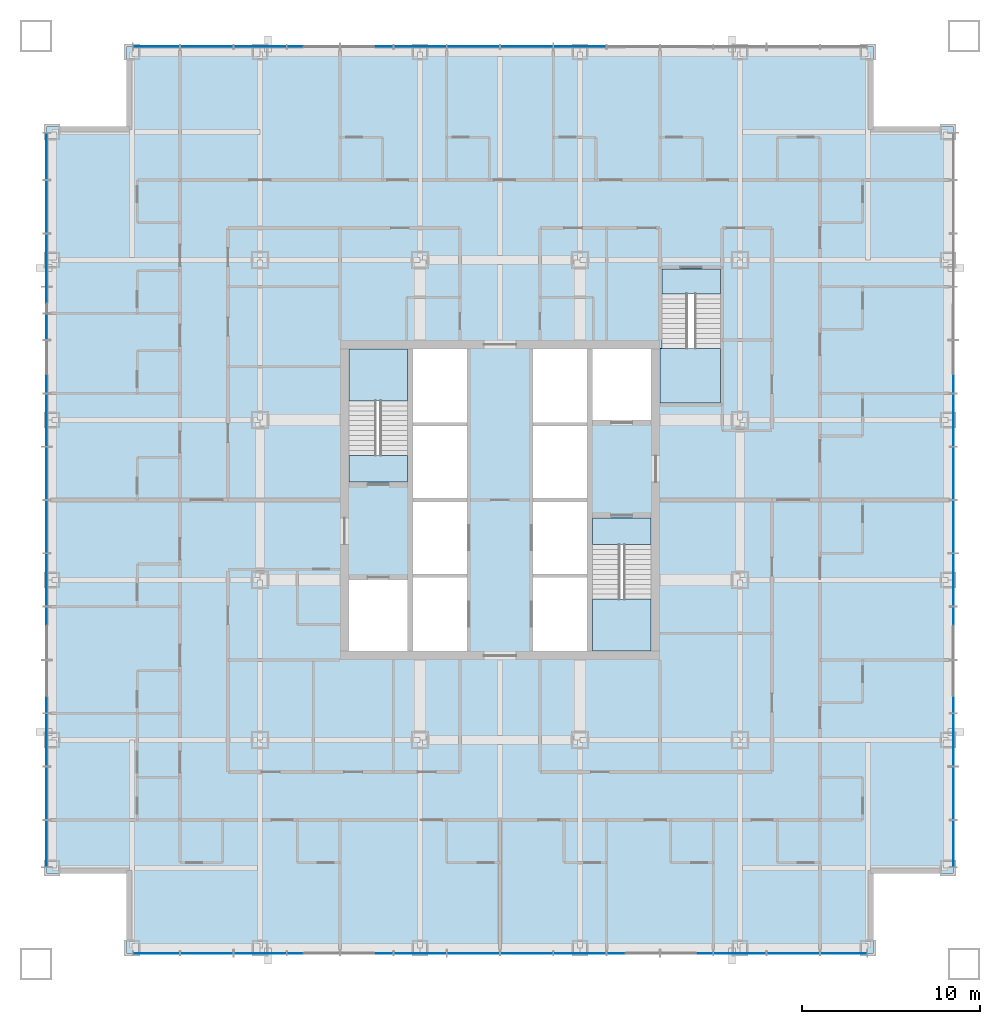
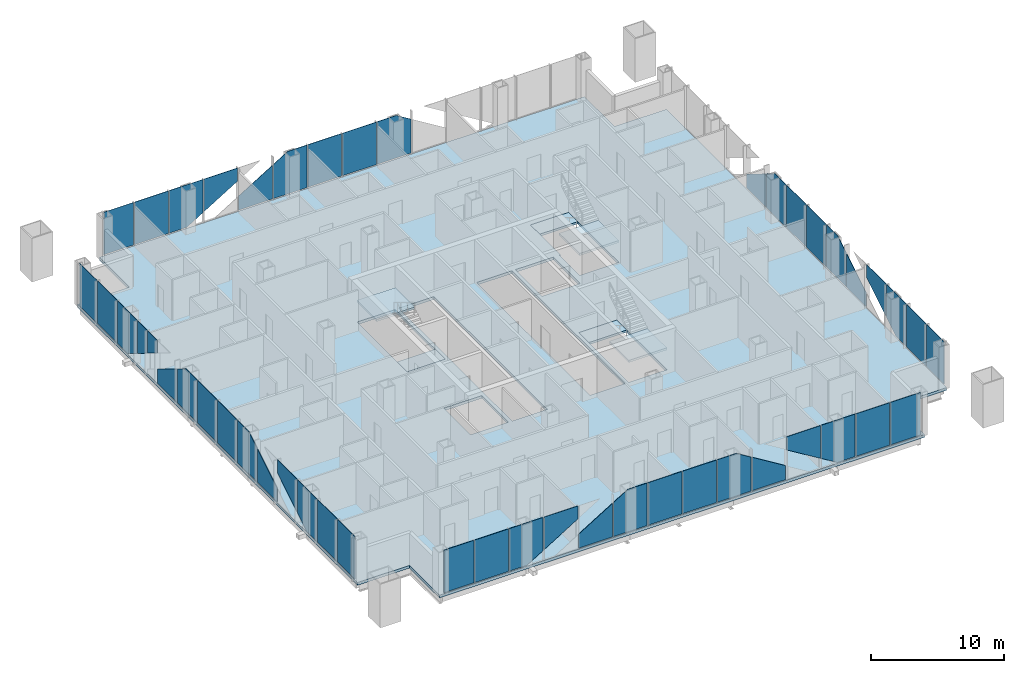
# One storey, part 6 of 14: 48 plates, 7 slabs, 7 elements without a shape of their own.
"""IFC4 building model written with IfcOpenShell, lengths in metres."""

from ifc_helpers import new_model, si_unit, direction, frame, origin, origin_2d, place, context, subcontext, project, spatial, polyline, rectangle, outline, extrude, material, layer, layer_set, type_object, element, aggregate, save


model = new_model("IFC4")

# Units and contexts
model_context = context("Model", 3, precision=1e-05, world=origin(), true_north=direction((0.0, 1.0)))
body_context = subcontext(model_context, "Body", "Model", "MODEL_VIEW")
ifc_project = project(units=[si_unit("LENGTHUNIT", "METRE"), si_unit("AREAUNIT", "SQUARE_METRE"), si_unit("VOLUMEUNIT", "CUBIC_METRE"), si_unit("PLANEANGLEUNIT", "RADIAN"), si_unit("MASSUNIT", "GRAM", prefix="KILO")], contexts=[model_context])

# Site, building, storey
site_placement = place(None, origin())
site = spatial("IfcSite", under=ifc_project, at=site_placement, CompositionType="ELEMENT")
building_placement = place(site_placement, origin())
building = spatial("IfcBuilding", under=site, at=building_placement, Name="Malebo Sky Hospital", CompositionType="ELEMENT")
storey_placement = place(building_placement, frame((0.0, 0.0, 71.0)))
storey = spatial("IfcBuildingStorey", under=building, at=storey_placement, Name="L16", CompositionType="ELEMENT", Elevation=71.0)

# Slab
ifc_material_1 = material(Name="Concrete C40/50", Category="concrete")
ifc_layer_1 = layer(ifc_material_1, 0.25)
ifc_layer_set_1 = layer_set([ifc_layer_1], Name="COMPOSITE FLOOR SLAB 250")
slab_type_1 = type_object("IfcSlabType", Name="COMPOSITE FLOOR SLAB 250", PredefinedType="FLOOR", material=ifc_layer_set_1)
slab_1_placement = place(storey_placement, frame((0.0, 0.0, -0.25)))
element("IfcSlab", 1, at=slab_1_placement, inside=storey, type_object=slab_type_1, Name="Floor slab L16", PredefinedType="FLOOR", context=body_context, shape_type="SweptSolid", body=[
    extrude(outline(polyline([(39.0, 87.5), (39.0, 83.0), (34.5, 83.0), (34.5, 41.0), (39.0, 41.0), (39.0, 36.5), (81.0, 36.5), (81.0, 41.0), (85.5, 41.0), (85.5, 83.0), (81.0, 83.0), (81.0, 87.5), (39.0, 87.5)]), holes=[polyline([(55.10009765625, 70.5), (58.14990234375, 70.5), (58.14990234375, 53.5), (55.10009765625, 53.5), (55.10009765625, 70.5)]), polyline([(64.89990234375, 70.5), (64.89990234375, 53.5), (61.85009765625, 53.5), (61.85009765625, 70.5), (64.89990234375, 70.5)]), polyline([(54.800048828125, 63.0), (51.5, 63.0), (51.5, 70.5), (54.800048828125, 70.5), (54.800048828125, 63.0)]), polyline([(51.5, 53.5), (51.5, 57.5), (54.800048828125, 57.5), (54.800048828125, 53.5), (51.5, 53.5)]), polyline([(65.199951171875, 61.0), (68.5, 61.0), (68.5, 53.5), (65.199951171875, 53.5), (65.199951171875, 61.0)]), polyline([(68.5, 70.5), (68.5, 66.5), (65.199951171875, 66.5), (65.199951171875, 70.5), (68.5, 70.5)]), polyline([(69.0, 67.449951171875), (69.0, 70.52001953125), (69.10009765625, 70.52001953125), (69.10009765625, 75.0), (72.39990234375, 75.0), (72.39990234375, 67.449951171875), (69.10009765625, 67.449951171875), (69.0, 67.449951171875)])]), origin(), (0.0, 0.0, 1.0), 0.25),
])

# Stair, slabs
stair_type_1 = type_object("IfcStairType", Name="HALF-TURN STAIR 1500 R167", PredefinedType="HALF_TURN_STAIR", material=ifc_material_1)
stair_1_placement = place(storey_placement, origin())
stair_1 = element("IfcStair", 2, at=stair_1_placement, inside=storey, type_object=stair_type_1, Name="Stair S1 L16 type ST1", PredefinedType="HALF_TURN_STAIR")
ifc_layer_2 = layer(ifc_material_1, 0.199951171875)
ifc_layer_set_2 = layer_set([ifc_layer_2], Name="STAIR LANDING 200")
slab_type_2 = type_object("IfcSlabType", Name="STAIR LANDING 200", PredefinedType="LANDING", material=ifc_layer_set_2)
slab_2_placement = place(storey_placement, frame((0.0, 0.0, -0.199951171875)))
slab_2 = element("IfcSlab", 3, at=slab_2_placement, type_object=slab_type_2, Name="S1 landing 1", PredefinedType="LANDING", context=body_context, shape_type="SweptSolid", body=[
    extrude(outline(polyline([(51.5, 63.0), (54.800048828125, 63.0), (54.800048828125, 64.5), (51.5, 64.5), (51.5, 63.0)])), origin(), (0.0, 0.0, 1.0), 0.199951171875),
])
slab_3_placement = place(storey_placement, frame((0.0, 0.0, 1.800048828125)))
slab_3 = element("IfcSlab", 4, at=slab_3_placement, type_object=slab_type_2, Name="S1 landing 2", PredefinedType="LANDING", context=body_context, shape_type="SweptSolid", body=[
    extrude(outline(polyline([(51.5, 67.580078125), (54.800048828125, 67.580078125), (54.800048828125, 70.5), (51.5, 70.5), (51.5, 67.580078125)])), origin(), (0.0, 0.0, 1.0), 0.199951171875),
])
aggregate(stair_1, [slab_2, slab_3])

stair_2_placement = place(storey_placement, origin())
stair_2 = element("IfcStair", 5, at=stair_2_placement, inside=storey, type_object=stair_type_1, Name="Stair S2 L16 type ST1", PredefinedType="HALF_TURN_STAIR")
slab_4_placement = place(storey_placement, frame((0.0, 0.0, -0.199951171875)))
slab_4 = element("IfcSlab", 6, at=slab_4_placement, type_object=slab_type_2, Name="S2 landing 1", PredefinedType="LANDING", context=body_context, shape_type="SweptSolid", body=[
    extrude(outline(polyline([(65.199951171875, 59.5), (68.5, 59.5), (68.5, 61.0), (65.199951171875, 61.0), (65.199951171875, 59.5)])), origin(), (0.0, 0.0, 1.0), 0.199951171875),
])
slab_5_placement = place(storey_placement, frame((0.0, 0.0, 1.800048828125)))
slab_5 = element("IfcSlab", 7, at=slab_5_placement, type_object=slab_type_2, Name="S2 landing 2", PredefinedType="LANDING", context=body_context, shape_type="SweptSolid", body=[
    extrude(outline(polyline([(65.199951171875, 53.5), (68.5, 53.5), (68.5, 56.419921875), (65.199951171875, 56.419921875), (65.199951171875, 53.5)])), origin(), (0.0, 0.0, 1.0), 0.199951171875),
])
aggregate(stair_2, [slab_4, slab_5])

stair_type_2 = type_object("IfcStairType", Name="HALF-TURN STAIR 1400 R167", PredefinedType="HALF_TURN_STAIR", material=ifc_material_1)
stair_3_placement = place(storey_placement, origin())
stair_3 = element("IfcStair", 8, at=stair_3_placement, inside=storey, type_object=stair_type_2, Name="Stair S3 L16 type ST1B", PredefinedType="HALF_TURN_STAIR")
slab_6_placement = place(storey_placement, frame((0.0, 0.0, -0.199951171875)))
slab_6 = element("IfcSlab", 9, at=slab_6_placement, type_object=slab_type_2, Name="S3 landing 1", PredefinedType="LANDING", context=body_context, shape_type="SweptSolid", body=[
    extrude(outline(polyline([(69.10009765625, 73.60009765625), (72.39990234375, 73.60009765625), (72.39990234375, 75.0), (69.10009765625, 75.0), (69.10009765625, 73.60009765625)])), origin(), (0.0, 0.0, 1.0), 0.199951171875),
])
slab_7_placement = place(storey_placement, frame((0.0, 0.0, 1.800048828125)))
slab_7 = element("IfcSlab", 10, at=slab_7_placement, type_object=slab_type_2, Name="S3 landing 2", PredefinedType="LANDING", context=body_context, shape_type="SweptSolid", body=[
    extrude(outline(polyline([(69.0, 67.449951171875), (72.39990234375, 67.449951171875), (72.39990234375, 70.52001953125), (69.0, 70.52001953125), (69.0, 67.449951171875)])), origin(), (0.0, 0.0, 1.0), 0.199951171875),
])
aggregate(stair_3, [slab_6, slab_7])

# Curtain wall, plates
ifc_material_2 = material(Name="Anodised aluminium, natural silver", Category="aluminium")
ifc_layer_3 = layer(ifc_material_2, 0.25)
ifc_layer_set_3 = layer_set([ifc_layer_3], Name="WARD CURTAIN WALL NORTH AND SOUTH")
curtain_wall_type_1 = type_object("IfcCurtainWallType", Name="WARD CURTAIN WALL NORTH AND SOUTH", PredefinedType="NOTDEFINED", material=ifc_layer_set_3)
curtain_wall_1_placement = place(storey_placement, origin())
curtain_wall_1 = element("IfcCurtainWall", 11, at=curtain_wall_1_placement, inside=storey, type_object=curtain_wall_type_1, Name="NS curtain wall N", PredefinedType="NOTDEFINED")
ifc_material_3 = material(Name="Clear low-iron double glazing", Category="glass")
ifc_layer_4 = layer(ifc_material_3, 0.031982421875)
ifc_layer_set_4 = layer_set([ifc_layer_4], Name="VISION PANEL CLEAR 32")
plate_type = type_object("IfcPlateType", Name="VISION PANEL CLEAR 32", PredefinedType="CURTAIN_PANEL", material=ifc_layer_set_4)
plate_1_placement = place(storey_placement, frame((40.668701171875, 87.5, 0.10009765625), z_axis=(0.0, 0.0, 1.0), x_axis=(1.0, 0.0, 0.0)))
plate_1 = element("IfcPlate", 12, at=plate_1_placement, type_object=plate_type, Name="Panel 1", PredefinedType="CURTAIN_PANEL", context=body_context, shape_type="SweptSolid", body=[
    extrude(rectangle(XDim=2.58740234375, YDim=0.031982421875, at=origin_2d()), origin(), (0.0, 0.0, 1.0), 3.889892578125),
])
plate_2_placement = place(storey_placement, frame((43.5, 87.5, 0.10009765625), z_axis=(0.0, 0.0, 1.0), x_axis=(1.0, 0.0, 0.0)))
plate_2 = element("IfcPlate", 13, at=plate_2_placement, type_object=plate_type, Name="Panel 2", PredefinedType="CURTAIN_PANEL", context=body_context, shape_type="SweptSolid", body=[
    extrude(rectangle(XDim=2.925048828125, YDim=0.031982421875, at=origin_2d()), origin(), (0.0, 0.0, 1.0), 3.889892578125),
])
plate_3_placement = place(storey_placement, frame((46.5, 87.5, 0.10009765625), z_axis=(0.0, 0.0, 1.0), x_axis=(1.0, 0.0, 0.0)))
plate_3 = element("IfcPlate", 14, at=plate_3_placement, type_object=plate_type, Name="Panel 3", PredefinedType="CURTAIN_PANEL", context=body_context, shape_type="SweptSolid", body=[
    extrude(outline(polyline([(-1.46240234375, 0.0), (0.068603515625, 0.0), (1.46240234375, 0.8544921875), (1.46240234375, 3.889892578125), (-1.46240234375, 3.889892578125), (-1.46240234375, 0.0)])), frame((0.0, 0.01611328125, 0.0), z_axis=(0.0, -1.0, 0.0), x_axis=(1.0, 0.0, 0.0)), (0.0, 0.0, 1.0), 0.031982421875),
])
plate_4_placement = place(storey_placement, frame((49.5, 87.5, 1.00048828125), z_axis=(0.0, 0.0, 1.0), x_axis=(1.0, 0.0, 0.0)))
plate_4 = element("IfcPlate", 15, at=plate_4_placement, type_object=plate_type, Name="Panel 4", PredefinedType="CURTAIN_PANEL", context=body_context, shape_type="SweptSolid", body=[
    extrude(outline(polyline([(-1.46240234375, 0.0), (1.46240234375, 1.793212890625), (1.46240234375, 2.989501953125), (-1.46240234375, 2.989501953125), (-1.46240234375, 0.0)])), frame((0.0, 0.01611328125, 0.0), z_axis=(0.0, -1.0, 0.0), x_axis=(1.0, 0.0, 0.0)), (0.0, 0.0, 1.0), 0.031982421875),
])
plate_5_placement = place(storey_placement, frame((52.5, 87.5, 0.10009765625), z_axis=(0.0, 0.0, 1.0), x_axis=(1.0, 0.0, 0.0)))
plate_5 = element("IfcPlate", 16, at=plate_5_placement, type_object=plate_type, Name="Panel 5", PredefinedType="CURTAIN_PANEL", context=body_context, shape_type="SweptSolid", body=[
    extrude(outline(polyline([(-1.46240234375, 0.0), (1.46240234375, 0.0), (1.46240234375, 3.065185546875), (-1.46240234375, 1.272216796875), (-1.46240234375, 0.0)])), frame((0.0, 0.01611328125, 0.0), z_axis=(0.0, -1.0, 0.0), x_axis=(1.0, 0.0, 0.0)), (0.0, 0.0, 1.0), 0.031982421875),
])
plate_6_placement = place(storey_placement, frame((55.5, 87.5, 0.10009765625), z_axis=(0.0, 0.0, 1.0), x_axis=(1.0, 0.0, 0.0)))
plate_6 = element("IfcPlate", 17, at=plate_6_placement, type_object=plate_type, Name="Panel 6", PredefinedType="CURTAIN_PANEL", context=body_context, shape_type="SweptSolid", body=[
    extrude(outline(polyline([(-1.46240234375, 0.0), (1.46240234375, 0.0), (1.46240234375, 3.889892578125), (-0.192138671875, 3.889892578125), (-1.46240234375, 3.111328125), (-1.46240234375, 0.0)])), frame((0.0, 0.01611328125, 0.0), z_axis=(0.0, -1.0, 0.0), x_axis=(1.0, 0.0, 0.0)), (0.0, 0.0, 1.0), 0.031982421875),
])
plate_7_placement = place(storey_placement, frame((58.5, 87.5, 0.10009765625), z_axis=(0.0, 0.0, 1.0), x_axis=(1.0, 0.0, 0.0)))
plate_7 = element("IfcPlate", 18, at=plate_7_placement, type_object=plate_type, Name="Panel 7", PredefinedType="CURTAIN_PANEL", context=body_context, shape_type="SweptSolid", body=[
    extrude(rectangle(XDim=2.925048828125, YDim=0.031982421875, at=origin_2d()), origin(), (0.0, 0.0, 1.0), 3.889892578125),
])
plate_8_placement = place(storey_placement, frame((61.5, 87.5, 0.10009765625), z_axis=(0.0, 0.0, 1.0), x_axis=(1.0, 0.0, 0.0)))
plate_8 = element("IfcPlate", 19, at=plate_8_placement, type_object=plate_type, Name="Panel 8", PredefinedType="CURTAIN_PANEL", context=body_context, shape_type="SweptSolid", body=[
    extrude(rectangle(XDim=2.925048828125, YDim=0.031982421875, at=origin_2d()), origin(), (0.0, 0.0, 1.0), 3.889892578125),
])
plate_9_placement = place(storey_placement, frame((64.5, 87.5, 0.10009765625), z_axis=(0.0, 0.0, 1.0), x_axis=(1.0, 0.0, 0.0)))
plate_9 = element("IfcPlate", 20, at=plate_9_placement, type_object=plate_type, Name="Panel 9", PredefinedType="CURTAIN_PANEL", context=body_context, shape_type="SweptSolid", body=[
    extrude(outline(polyline([(-1.46240234375, 0.0), (1.46240234375, 0.0), (1.46240234375, 3.111328125), (0.192138671875, 3.889892578125), (-1.46240234375, 3.889892578125), (-1.46240234375, 0.0)])), frame((0.0, 0.01611328125, 0.0), z_axis=(0.0, -1.0, 0.0), x_axis=(1.0, 0.0, 0.0)), (0.0, 0.0, 1.0), 0.031982421875),
])
aggregate(curtain_wall_1, [plate_1, plate_2, plate_3, plate_4, plate_5, plate_6, plate_7, plate_8, plate_9])

ifc_layer_5 = layer(ifc_material_2, 0.25)
ifc_layer_set_5 = layer_set([ifc_layer_5], Name="WARD CURTAIN WALL EAST AND WEST")
curtain_wall_type_2 = type_object("IfcCurtainWallType", Name="WARD CURTAIN WALL EAST AND WEST", PredefinedType="NOTDEFINED", material=ifc_layer_set_5)
curtain_wall_2_placement = place(storey_placement, origin())
curtain_wall_2 = element("IfcCurtainWall", 21, at=curtain_wall_2_placement, inside=storey, type_object=curtain_wall_type_2, Name="EW curtain wall W", PredefinedType="NOTDEFINED")
plate_10_placement = place(storey_placement, frame((34.5, 42.668701171875, 0.10009765625), z_axis=(0.0, 0.0, 1.0), x_axis=(0.0, 1.0, 0.0)))
plate_10 = element("IfcPlate", 22, at=plate_10_placement, type_object=plate_type, Name="Panel 1", PredefinedType="CURTAIN_PANEL", context=body_context, shape_type="SweptSolid", body=[
    extrude(rectangle(XDim=2.58740234375, YDim=0.031982421875, at=origin_2d()), origin(), (0.0, 0.0, 1.0), 3.889892578125),
])
plate_11_placement = place(storey_placement, frame((34.5, 45.5, 0.10009765625), z_axis=(0.0, 0.0, 1.0), x_axis=(0.0, 1.0, 0.0)))
plate_11 = element("IfcPlate", 23, at=plate_11_placement, type_object=plate_type, Name="Panel 2", PredefinedType="CURTAIN_PANEL", context=body_context, shape_type="SweptSolid", body=[
    extrude(rectangle(XDim=2.925048828125, YDim=0.031982421875, at=origin_2d()), origin(), (0.0, 0.0, 1.0), 3.889892578125),
])
plate_12_placement = place(storey_placement, frame((34.5, 48.5, 0.10009765625), z_axis=(0.0, 0.0, 1.0), x_axis=(0.0, 1.0, 0.0)))
plate_12 = element("IfcPlate", 24, at=plate_12_placement, type_object=plate_type, Name="Panel 3", PredefinedType="CURTAIN_PANEL", context=body_context, shape_type="SweptSolid", body=[
    extrude(outline(polyline([(-1.46240234375, 0.0), (0.068603515625, 0.0), (1.46240234375, 0.8544921875), (1.46240234375, 3.889892578125), (-1.46240234375, 3.889892578125), (-1.46240234375, 0.0)])), frame((0.0, 0.01611328125, 0.0), z_axis=(0.0, -1.0, 0.0), x_axis=(1.0, 0.0, 0.0)), (0.0, 0.0, 1.0), 0.031982421875),
])
plate_13_placement = place(storey_placement, frame((34.5, 51.5, 1.00048828125), z_axis=(0.0, 0.0, 1.0), x_axis=(0.0, 1.0, 0.0)))
plate_13 = element("IfcPlate", 25, at=plate_13_placement, type_object=plate_type, Name="Panel 4", PredefinedType="CURTAIN_PANEL", context=body_context, shape_type="SweptSolid", body=[
    extrude(outline(polyline([(-1.46240234375, 0.0), (1.46240234375, 1.793212890625), (1.46240234375, 2.989501953125), (-1.46240234375, 2.989501953125), (-1.46240234375, 0.0)])), frame((0.0, 0.01611328125, 0.0), z_axis=(0.0, -1.0, 0.0), x_axis=(1.0, 0.0, 0.0)), (0.0, 0.0, 1.0), 0.031982421875),
])
plate_14_placement = place(storey_placement, frame((34.5, 54.5, 0.10009765625), z_axis=(0.0, 0.0, 1.0), x_axis=(0.0, 1.0, 0.0)))
plate_14 = element("IfcPlate", 26, at=plate_14_placement, type_object=plate_type, Name="Panel 5", PredefinedType="CURTAIN_PANEL", context=body_context, shape_type="SweptSolid", body=[
    extrude(outline(polyline([(-1.46240234375, 0.0), (1.46240234375, 0.0), (1.46240234375, 3.065185546875), (-1.46240234375, 1.272216796875), (-1.46240234375, 0.0)])), frame((0.0, 0.01611328125, 0.0), z_axis=(0.0, -1.0, 0.0), x_axis=(1.0, 0.0, 0.0)), (0.0, 0.0, 1.0), 0.031982421875),
])
plate_15_placement = place(storey_placement, frame((34.5, 57.5, 0.10009765625), z_axis=(0.0, 0.0, 1.0), x_axis=(0.0, 1.0, 0.0)))
plate_15 = element("IfcPlate", 27, at=plate_15_placement, type_object=plate_type, Name="Panel 6", PredefinedType="CURTAIN_PANEL", context=body_context, shape_type="SweptSolid", body=[
    extrude(outline(polyline([(-1.46240234375, 0.0), (1.46240234375, 0.0), (1.46240234375, 3.889892578125), (-0.192138671875, 3.889892578125), (-1.46240234375, 3.111328125), (-1.46240234375, 0.0)])), frame((0.0, 0.01611328125, 0.0), z_axis=(0.0, -1.0, 0.0), x_axis=(1.0, 0.0, 0.0)), (0.0, 0.0, 1.0), 0.031982421875),
])
plate_16_placement = place(storey_placement, frame((34.5, 60.5, 0.10009765625), z_axis=(0.0, 0.0, 1.0), x_axis=(0.0, 1.0, 0.0)))
plate_16 = element("IfcPlate", 28, at=plate_16_placement, type_object=plate_type, Name="Panel 7", PredefinedType="CURTAIN_PANEL", context=body_context, shape_type="SweptSolid", body=[
    extrude(rectangle(XDim=2.925048828125, YDim=0.031982421875, at=origin_2d()), origin(), (0.0, 0.0, 1.0), 3.889892578125),
])
plate_17_placement = place(storey_placement, frame((34.5, 63.5, 0.10009765625), z_axis=(0.0, 0.0, 1.0), x_axis=(0.0, 1.0, 0.0)))
plate_17 = element("IfcPlate", 29, at=plate_17_placement, type_object=plate_type, Name="Panel 8", PredefinedType="CURTAIN_PANEL", context=body_context, shape_type="SweptSolid", body=[
    extrude(rectangle(XDim=2.925048828125, YDim=0.031982421875, at=origin_2d()), origin(), (0.0, 0.0, 1.0), 3.889892578125),
])
plate_18_placement = place(storey_placement, frame((34.5, 66.5, 0.10009765625), z_axis=(0.0, 0.0, 1.0), x_axis=(0.0, 1.0, 0.0)))
plate_18 = element("IfcPlate", 30, at=plate_18_placement, type_object=plate_type, Name="Panel 9", PredefinedType="CURTAIN_PANEL", context=body_context, shape_type="SweptSolid", body=[
    extrude(outline(polyline([(-1.46240234375, 0.0), (1.46240234375, 0.0), (1.46240234375, 3.111328125), (0.192138671875, 3.889892578125), (-1.46240234375, 3.889892578125), (-1.46240234375, 0.0)])), frame((0.0, 0.01611328125, 0.0), z_axis=(0.0, -1.0, 0.0), x_axis=(1.0, 0.0, 0.0)), (0.0, 0.0, 1.0), 0.031982421875),
])
plate_19_placement = place(storey_placement, frame((34.5, 69.5, 0.10009765625), z_axis=(0.0, 0.0, 1.0), x_axis=(0.0, 1.0, 0.0)))
plate_19 = element("IfcPlate", 31, at=plate_19_placement, type_object=plate_type, Name="Panel 10", PredefinedType="CURTAIN_PANEL", context=body_context, shape_type="SweptSolid", body=[
    extrude(outline(polyline([(-1.46240234375, 0.0), (1.46240234375, 0.0), (1.46240234375, 1.272216796875), (-1.46240234375, 3.065185546875), (-1.46240234375, 0.0)])), frame((0.0, 0.01611328125, 0.0), z_axis=(0.0, -1.0, 0.0), x_axis=(1.0, 0.0, 0.0)), (0.0, 0.0, 1.0), 0.031982421875),
])
plate_20_placement = place(storey_placement, frame((34.5, 71.75, 1.919921875), z_axis=(0.0, 0.0, 1.0), x_axis=(0.0, 1.0, 0.0)))
plate_20 = element("IfcPlate", 32, at=plate_20_placement, type_object=plate_type, Name="Panel 11", PredefinedType="CURTAIN_PANEL", context=body_context, shape_type="SweptSolid", body=[
    extrude(outline(polyline([(0.71240234375, 0.0), (0.71240234375, 2.070068359375), (-0.71240234375, 2.070068359375), (-0.71240234375, 0.87353515625), (0.71240234375, 0.0)])), frame((0.0, 0.01611328125, 0.0), z_axis=(0.0, -1.0, 0.0), x_axis=(1.0, 0.0, 0.0)), (0.0, 0.0, 1.0), 0.031982421875),
])
plate_21_placement = place(storey_placement, frame((34.5, 73.25, 1.00048828125), z_axis=(0.0, 0.0, 1.0), x_axis=(0.0, 1.0, 0.0)))
plate_21 = element("IfcPlate", 33, at=plate_21_placement, type_object=plate_type, Name="Panel 12", PredefinedType="CURTAIN_PANEL", context=body_context, shape_type="SweptSolid", body=[
    extrude(outline(polyline([(0.71240234375, 0.0), (0.71240234375, 2.989501953125), (-0.71240234375, 2.989501953125), (-0.71240234375, 0.87353515625), (0.71240234375, 0.0)])), frame((0.0, 0.01611328125, 0.0), z_axis=(0.0, -1.0, 0.0), x_axis=(1.0, 0.0, 0.0)), (0.0, 0.0, 1.0), 0.031982421875),
])
plate_22_placement = place(storey_placement, frame((34.5, 75.5, 0.10009765625), z_axis=(0.0, 0.0, 1.0), x_axis=(0.0, 1.0, 0.0)))
plate_22 = element("IfcPlate", 34, at=plate_22_placement, type_object=plate_type, Name="Panel 13", PredefinedType="CURTAIN_PANEL", context=body_context, shape_type="SweptSolid", body=[
    extrude(outline(polyline([(-0.068603515625, 0.0), (1.46240234375, 0.0), (1.46240234375, 3.889892578125), (-1.46240234375, 3.889892578125), (-1.46240234375, 0.8544921875), (-0.068603515625, 0.0)])), frame((0.0, 0.01611328125, 0.0), z_axis=(0.0, -1.0, 0.0), x_axis=(1.0, 0.0, 0.0)), (0.0, 0.0, 1.0), 0.031982421875),
])
plate_23_placement = place(storey_placement, frame((34.5, 78.5, 0.10009765625), z_axis=(0.0, 0.0, 1.0), x_axis=(0.0, 1.0, 0.0)))
plate_23 = element("IfcPlate", 35, at=plate_23_placement, type_object=plate_type, Name="Panel 14", PredefinedType="CURTAIN_PANEL", context=body_context, shape_type="SweptSolid", body=[
    extrude(rectangle(XDim=2.925048828125, YDim=0.031982421875, at=origin_2d()), origin(), (0.0, 0.0, 1.0), 3.889892578125),
])
plate_24_placement = place(storey_placement, frame((34.5, 81.331298828125, 0.10009765625), z_axis=(0.0, 0.0, 1.0), x_axis=(0.0, 1.0, 0.0)))
plate_24 = element("IfcPlate", 36, at=plate_24_placement, type_object=plate_type, Name="Panel 15", PredefinedType="CURTAIN_PANEL", context=body_context, shape_type="SweptSolid", body=[
    extrude(rectangle(XDim=2.58740234375, YDim=0.031982421875, at=origin_2d()), origin(), (0.0, 0.0, 1.0), 3.889892578125),
])
aggregate(curtain_wall_2, [plate_10, plate_11, plate_12, plate_13, plate_14, plate_15, plate_16, plate_17, plate_18, plate_19, plate_20, plate_21, plate_22, plate_23, plate_24])

curtain_wall_3_placement = place(storey_placement, origin())
curtain_wall_3 = element("IfcCurtainWall", 37, at=curtain_wall_3_placement, inside=storey, type_object=curtain_wall_type_1, Name="NS curtain wall S", PredefinedType="NOTDEFINED")
plate_25_placement = place(storey_placement, frame((79.331298828125, 36.5, 0.10009765625), z_axis=(0.0, 0.0, 1.0), x_axis=(-1.0, 0.0, 0.0)))
plate_25 = element("IfcPlate", 38, at=plate_25_placement, type_object=plate_type, Name="Panel 1", PredefinedType="CURTAIN_PANEL", context=body_context, shape_type="SweptSolid", body=[
    extrude(rectangle(XDim=2.58740234375, YDim=0.031982421875, at=origin_2d()), origin(), (0.0, 0.0, 1.0), 3.889892578125),
])
plate_26_placement = place(storey_placement, frame((76.5, 36.5, 0.10009765625), z_axis=(0.0, 0.0, 1.0), x_axis=(-1.0, 0.0, 0.0)))
plate_26 = element("IfcPlate", 39, at=plate_26_placement, type_object=plate_type, Name="Panel 2", PredefinedType="CURTAIN_PANEL", context=body_context, shape_type="SweptSolid", body=[
    extrude(rectangle(XDim=2.925048828125, YDim=0.031982421875, at=origin_2d()), origin(), (0.0, 0.0, 1.0), 3.889892578125),
])
plate_27_placement = place(storey_placement, frame((73.5, 36.5, 0.10009765625), z_axis=(0.0, 0.0, 1.0), x_axis=(-1.0, 0.0, 0.0)))
plate_27 = element("IfcPlate", 40, at=plate_27_placement, type_object=plate_type, Name="Panel 3", PredefinedType="CURTAIN_PANEL", context=body_context, shape_type="SweptSolid", body=[
    extrude(outline(polyline([(-1.46240234375, 0.0), (0.068603515625, 0.0), (1.46240234375, 0.8544921875), (1.46240234375, 3.889892578125), (-1.46240234375, 3.889892578125), (-1.46240234375, 0.0)])), frame((0.0, 0.01611328125, 0.0), z_axis=(0.0, -1.0, 0.0), x_axis=(1.0, 0.0, 0.0)), (0.0, 0.0, 1.0), 0.031982421875),
])
plate_28_placement = place(storey_placement, frame((70.5, 36.5, 1.00048828125), z_axis=(0.0, 0.0, 1.0), x_axis=(-1.0, 0.0, 0.0)))
plate_28 = element("IfcPlate", 41, at=plate_28_placement, type_object=plate_type, Name="Panel 4", PredefinedType="CURTAIN_PANEL", context=body_context, shape_type="SweptSolid", body=[
    extrude(outline(polyline([(-1.46240234375, 0.0), (1.46240234375, 1.793212890625), (1.46240234375, 2.989501953125), (-1.46240234375, 2.989501953125), (-1.46240234375, 0.0)])), frame((0.0, 0.01611328125, 0.0), z_axis=(0.0, -1.0, 0.0), x_axis=(1.0, 0.0, 0.0)), (0.0, 0.0, 1.0), 0.031982421875),
])
plate_29_placement = place(storey_placement, frame((67.5, 36.5, 0.10009765625), z_axis=(0.0, 0.0, 1.0), x_axis=(-1.0, 0.0, 0.0)))
plate_29 = element("IfcPlate", 42, at=plate_29_placement, type_object=plate_type, Name="Panel 5", PredefinedType="CURTAIN_PANEL", context=body_context, shape_type="SweptSolid", body=[
    extrude(outline(polyline([(-1.46240234375, 0.0), (1.46240234375, 0.0), (1.46240234375, 3.065185546875), (-1.46240234375, 1.272216796875), (-1.46240234375, 0.0)])), frame((0.0, 0.01611328125, 0.0), z_axis=(0.0, -1.0, 0.0), x_axis=(1.0, 0.0, 0.0)), (0.0, 0.0, 1.0), 0.031982421875),
])
plate_30_placement = place(storey_placement, frame((64.5, 36.5, 0.10009765625), z_axis=(0.0, 0.0, 1.0), x_axis=(-1.0, 0.0, 0.0)))
plate_30 = element("IfcPlate", 43, at=plate_30_placement, type_object=plate_type, Name="Panel 6", PredefinedType="CURTAIN_PANEL", context=body_context, shape_type="SweptSolid", body=[
    extrude(outline(polyline([(-1.46240234375, 0.0), (1.46240234375, 0.0), (1.46240234375, 3.889892578125), (-0.192138671875, 3.889892578125), (-1.46240234375, 3.111328125), (-1.46240234375, 0.0)])), frame((0.0, 0.01611328125, 0.0), z_axis=(0.0, -1.0, 0.0), x_axis=(1.0, 0.0, 0.0)), (0.0, 0.0, 1.0), 0.031982421875),
])
plate_31_placement = place(storey_placement, frame((61.5, 36.5, 0.10009765625), z_axis=(0.0, 0.0, 1.0), x_axis=(-1.0, 0.0, 0.0)))
plate_31 = element("IfcPlate", 44, at=plate_31_placement, type_object=plate_type, Name="Panel 7", PredefinedType="CURTAIN_PANEL", context=body_context, shape_type="SweptSolid", body=[
    extrude(rectangle(XDim=2.925048828125, YDim=0.031982421875, at=origin_2d()), origin(), (0.0, 0.0, 1.0), 3.889892578125),
])
plate_32_placement = place(storey_placement, frame((58.5, 36.5, 0.10009765625), z_axis=(0.0, 0.0, 1.0), x_axis=(-1.0, 0.0, 0.0)))
plate_32 = element("IfcPlate", 45, at=plate_32_placement, type_object=plate_type, Name="Panel 8", PredefinedType="CURTAIN_PANEL", context=body_context, shape_type="SweptSolid", body=[
    extrude(rectangle(XDim=2.925048828125, YDim=0.031982421875, at=origin_2d()), origin(), (0.0, 0.0, 1.0), 3.889892578125),
])
plate_33_placement = place(storey_placement, frame((55.5, 36.5, 0.10009765625), z_axis=(0.0, 0.0, 1.0), x_axis=(-1.0, 0.0, 0.0)))
plate_33 = element("IfcPlate", 46, at=plate_33_placement, type_object=plate_type, Name="Panel 9", PredefinedType="CURTAIN_PANEL", context=body_context, shape_type="SweptSolid", body=[
    extrude(outline(polyline([(-1.46240234375, 0.0), (1.46240234375, 0.0), (1.46240234375, 3.111328125), (0.192138671875, 3.889892578125), (-1.46240234375, 3.889892578125), (-1.46240234375, 0.0)])), frame((0.0, 0.01611328125, 0.0), z_axis=(0.0, -1.0, 0.0), x_axis=(1.0, 0.0, 0.0)), (0.0, 0.0, 1.0), 0.031982421875),
])
plate_34_placement = place(storey_placement, frame((52.5, 36.5, 0.10009765625), z_axis=(0.0, 0.0, 1.0), x_axis=(-1.0, 0.0, 0.0)))
plate_34 = element("IfcPlate", 47, at=plate_34_placement, type_object=plate_type, Name="Panel 10", PredefinedType="CURTAIN_PANEL", context=body_context, shape_type="SweptSolid", body=[
    extrude(outline(polyline([(-1.46240234375, 0.0), (1.46240234375, 0.0), (1.46240234375, 1.272216796875), (-1.46240234375, 3.065185546875), (-1.46240234375, 0.0)])), frame((0.0, 0.01611328125, 0.0), z_axis=(0.0, -1.0, 0.0), x_axis=(1.0, 0.0, 0.0)), (0.0, 0.0, 1.0), 0.031982421875),
])
plate_35_placement = place(storey_placement, frame((49.5, 36.5, 1.00048828125), z_axis=(0.0, 0.0, 1.0), x_axis=(-1.0, 0.0, 0.0)))
plate_35 = element("IfcPlate", 48, at=plate_35_placement, type_object=plate_type, Name="Panel 11", PredefinedType="CURTAIN_PANEL", context=body_context, shape_type="SweptSolid", body=[
    extrude(outline(polyline([(1.46240234375, 0.0), (1.46240234375, 2.989501953125), (-1.46240234375, 2.989501953125), (-1.46240234375, 1.793212890625), (1.46240234375, 0.0)])), frame((0.0, 0.01611328125, 0.0), z_axis=(0.0, -1.0, 0.0), x_axis=(1.0, 0.0, 0.0)), (0.0, 0.0, 1.0), 0.031982421875),
])
plate_36_placement = place(storey_placement, frame((46.5, 36.5, 0.10009765625), z_axis=(0.0, 0.0, 1.0), x_axis=(-1.0, 0.0, 0.0)))
plate_36 = element("IfcPlate", 49, at=plate_36_placement, type_object=plate_type, Name="Panel 12", PredefinedType="CURTAIN_PANEL", context=body_context, shape_type="SweptSolid", body=[
    extrude(outline(polyline([(-0.068603515625, 0.0), (1.46240234375, 0.0), (1.46240234375, 3.889892578125), (-1.46240234375, 3.889892578125), (-1.46240234375, 0.8544921875), (-0.068603515625, 0.0)])), frame((0.0, 0.01611328125, 0.0), z_axis=(0.0, -1.0, 0.0), x_axis=(1.0, 0.0, 0.0)), (0.0, 0.0, 1.0), 0.031982421875),
])
plate_37_placement = place(storey_placement, frame((43.5, 36.5, 0.10009765625), z_axis=(0.0, 0.0, 1.0), x_axis=(-1.0, 0.0, 0.0)))
plate_37 = element("IfcPlate", 50, at=plate_37_placement, type_object=plate_type, Name="Panel 13", PredefinedType="CURTAIN_PANEL", context=body_context, shape_type="SweptSolid", body=[
    extrude(rectangle(XDim=2.925048828125, YDim=0.031982421875, at=origin_2d()), origin(), (0.0, 0.0, 1.0), 3.889892578125),
])
plate_38_placement = place(storey_placement, frame((40.668701171875, 36.5, 0.10009765625), z_axis=(0.0, 0.0, 1.0), x_axis=(-1.0, 0.0, 0.0)))
plate_38 = element("IfcPlate", 51, at=plate_38_placement, type_object=plate_type, Name="Panel 14", PredefinedType="CURTAIN_PANEL", context=body_context, shape_type="SweptSolid", body=[
    extrude(rectangle(XDim=2.58740234375, YDim=0.031982421875, at=origin_2d()), origin(), (0.0, 0.0, 1.0), 3.889892578125),
])
aggregate(curtain_wall_3, [plate_25, plate_26, plate_27, plate_28, plate_29, plate_30, plate_31, plate_32, plate_33, plate_34, plate_35, plate_36, plate_37, plate_38])

curtain_wall_4_placement = place(storey_placement, origin())
curtain_wall_4 = element("IfcCurtainWall", 52, at=curtain_wall_4_placement, inside=storey, type_object=curtain_wall_type_2, Name="EW curtain wall E", PredefinedType="NOTDEFINED")
plate_39_placement = place(storey_placement, frame((85.5, 69.5, 0.10009765625), z_axis=(0.0, 0.0, 1.0), x_axis=(0.0, -1.0, 0.0)))
plate_39 = element("IfcPlate", 53, at=plate_39_placement, type_object=plate_type, Name="Panel 5", PredefinedType="CURTAIN_PANEL", context=body_context, shape_type="SweptSolid", body=[
    extrude(outline(polyline([(-1.46240234375, 0.0), (1.46240234375, 0.0), (1.46240234375, 3.065185546875), (-1.46240234375, 1.272216796875), (-1.46240234375, 0.0)])), frame((0.0, 0.01611328125, 0.0), z_axis=(0.0, -1.0, 0.0), x_axis=(1.0, 0.0, 0.0)), (0.0, 0.0, 1.0), 0.031982421875),
])
plate_40_placement = place(storey_placement, frame((85.5, 66.5, 0.10009765625), z_axis=(0.0, 0.0, 1.0), x_axis=(0.0, -1.0, 0.0)))
plate_40 = element("IfcPlate", 54, at=plate_40_placement, type_object=plate_type, Name="Panel 6", PredefinedType="CURTAIN_PANEL", context=body_context, shape_type="SweptSolid", body=[
    extrude(outline(polyline([(-1.46240234375, 0.0), (1.46240234375, 0.0), (1.46240234375, 3.889892578125), (-0.192138671875, 3.889892578125), (-1.46240234375, 3.111328125), (-1.46240234375, 0.0)])), frame((0.0, 0.01611328125, 0.0), z_axis=(0.0, -1.0, 0.0), x_axis=(1.0, 0.0, 0.0)), (0.0, 0.0, 1.0), 0.031982421875),
])
plate_41_placement = place(storey_placement, frame((85.5, 63.5, 0.10009765625), z_axis=(0.0, 0.0, 1.0), x_axis=(0.0, -1.0, 0.0)))
plate_41 = element("IfcPlate", 55, at=plate_41_placement, type_object=plate_type, Name="Panel 7", PredefinedType="CURTAIN_PANEL", context=body_context, shape_type="SweptSolid", body=[
    extrude(rectangle(XDim=2.925048828125, YDim=0.031982421875, at=origin_2d()), origin(), (0.0, 0.0, 1.0), 3.889892578125),
])
plate_42_placement = place(storey_placement, frame((85.5, 60.5, 0.10009765625), z_axis=(0.0, 0.0, 1.0), x_axis=(0.0, -1.0, 0.0)))
plate_42 = element("IfcPlate", 56, at=plate_42_placement, type_object=plate_type, Name="Panel 8", PredefinedType="CURTAIN_PANEL", context=body_context, shape_type="SweptSolid", body=[
    extrude(rectangle(XDim=2.925048828125, YDim=0.031982421875, at=origin_2d()), origin(), (0.0, 0.0, 1.0), 3.889892578125),
])
plate_43_placement = place(storey_placement, frame((85.5, 57.5, 0.10009765625), z_axis=(0.0, 0.0, 1.0), x_axis=(0.0, -1.0, 0.0)))
plate_43 = element("IfcPlate", 57, at=plate_43_placement, type_object=plate_type, Name="Panel 9", PredefinedType="CURTAIN_PANEL", context=body_context, shape_type="SweptSolid", body=[
    extrude(outline(polyline([(-1.46240234375, 0.0), (1.46240234375, 0.0), (1.46240234375, 3.111328125), (0.192138671875, 3.889892578125), (-1.46240234375, 3.889892578125), (-1.46240234375, 0.0)])), frame((0.0, 0.01611328125, 0.0), z_axis=(0.0, -1.0, 0.0), x_axis=(1.0, 0.0, 0.0)), (0.0, 0.0, 1.0), 0.031982421875),
])
plate_44_placement = place(storey_placement, frame((85.5, 54.5, 0.10009765625), z_axis=(0.0, 0.0, 1.0), x_axis=(0.0, -1.0, 0.0)))
plate_44 = element("IfcPlate", 58, at=plate_44_placement, type_object=plate_type, Name="Panel 10", PredefinedType="CURTAIN_PANEL", context=body_context, shape_type="SweptSolid", body=[
    extrude(outline(polyline([(-1.46240234375, 0.0), (1.46240234375, 0.0), (1.46240234375, 1.272216796875), (-1.46240234375, 3.065185546875), (-1.46240234375, 0.0)])), frame((0.0, 0.01611328125, 0.0), z_axis=(0.0, -1.0, 0.0), x_axis=(1.0, 0.0, 0.0)), (0.0, 0.0, 1.0), 0.031982421875),
])
plate_45_placement = place(storey_placement, frame((85.5, 51.5, 1.00048828125), z_axis=(0.0, 0.0, 1.0), x_axis=(0.0, -1.0, 0.0)))
plate_45 = element("IfcPlate", 59, at=plate_45_placement, type_object=plate_type, Name="Panel 11", PredefinedType="CURTAIN_PANEL", context=body_context, shape_type="SweptSolid", body=[
    extrude(outline(polyline([(1.46240234375, 0.0), (1.46240234375, 2.989501953125), (-1.46240234375, 2.989501953125), (-1.46240234375, 1.793212890625), (1.46240234375, 0.0)])), frame((0.0, 0.01611328125, 0.0), z_axis=(0.0, -1.0, 0.0), x_axis=(1.0, 0.0, 0.0)), (0.0, 0.0, 1.0), 0.031982421875),
])
plate_46_placement = place(storey_placement, frame((85.5, 48.5, 0.10009765625), z_axis=(0.0, 0.0, 1.0), x_axis=(0.0, -1.0, 0.0)))
plate_46 = element("IfcPlate", 60, at=plate_46_placement, type_object=plate_type, Name="Panel 12", PredefinedType="CURTAIN_PANEL", context=body_context, shape_type="SweptSolid", body=[
    extrude(outline(polyline([(-0.068603515625, 0.0), (1.46240234375, 0.0), (1.46240234375, 3.889892578125), (-1.46240234375, 3.889892578125), (-1.46240234375, 0.8544921875), (-0.068603515625, 0.0)])), frame((0.0, 0.01611328125, 0.0), z_axis=(0.0, -1.0, 0.0), x_axis=(1.0, 0.0, 0.0)), (0.0, 0.0, 1.0), 0.031982421875),
])
plate_47_placement = place(storey_placement, frame((85.5, 45.5, 0.10009765625), z_axis=(0.0, 0.0, 1.0), x_axis=(0.0, -1.0, 0.0)))
plate_47 = element("IfcPlate", 61, at=plate_47_placement, type_object=plate_type, Name="Panel 13", PredefinedType="CURTAIN_PANEL", context=body_context, shape_type="SweptSolid", body=[
    extrude(rectangle(XDim=2.925048828125, YDim=0.031982421875, at=origin_2d()), origin(), (0.0, 0.0, 1.0), 3.889892578125),
])
plate_48_placement = place(storey_placement, frame((85.5, 42.668701171875, 0.10009765625), z_axis=(0.0, 0.0, 1.0), x_axis=(0.0, -1.0, 0.0)))
plate_48 = element("IfcPlate", 62, at=plate_48_placement, type_object=plate_type, Name="Panel 14", PredefinedType="CURTAIN_PANEL", context=body_context, shape_type="SweptSolid", body=[
    extrude(rectangle(XDim=2.58740234375, YDim=0.031982421875, at=origin_2d()), origin(), (0.0, 0.0, 1.0), 3.889892578125),
])
aggregate(curtain_wall_4, [plate_39, plate_40, plate_41, plate_42, plate_43, plate_44, plate_45, plate_46, plate_47, plate_48])

save(model, "model.ifc")
